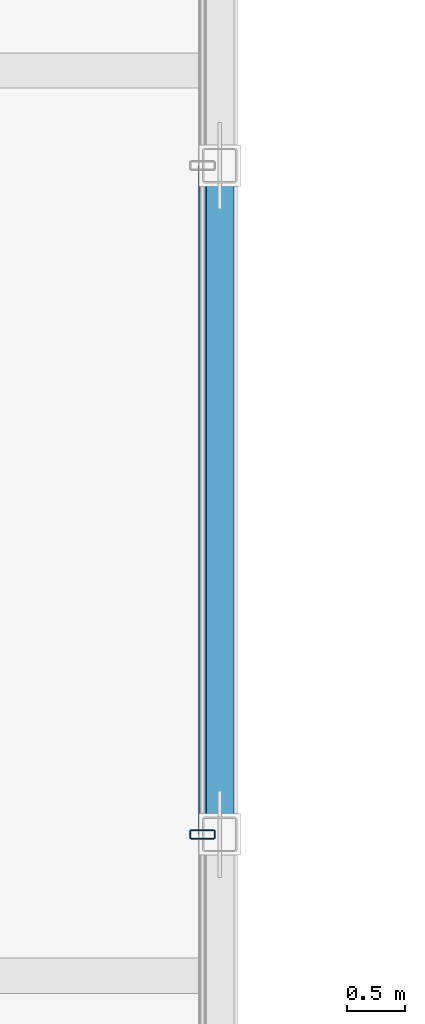
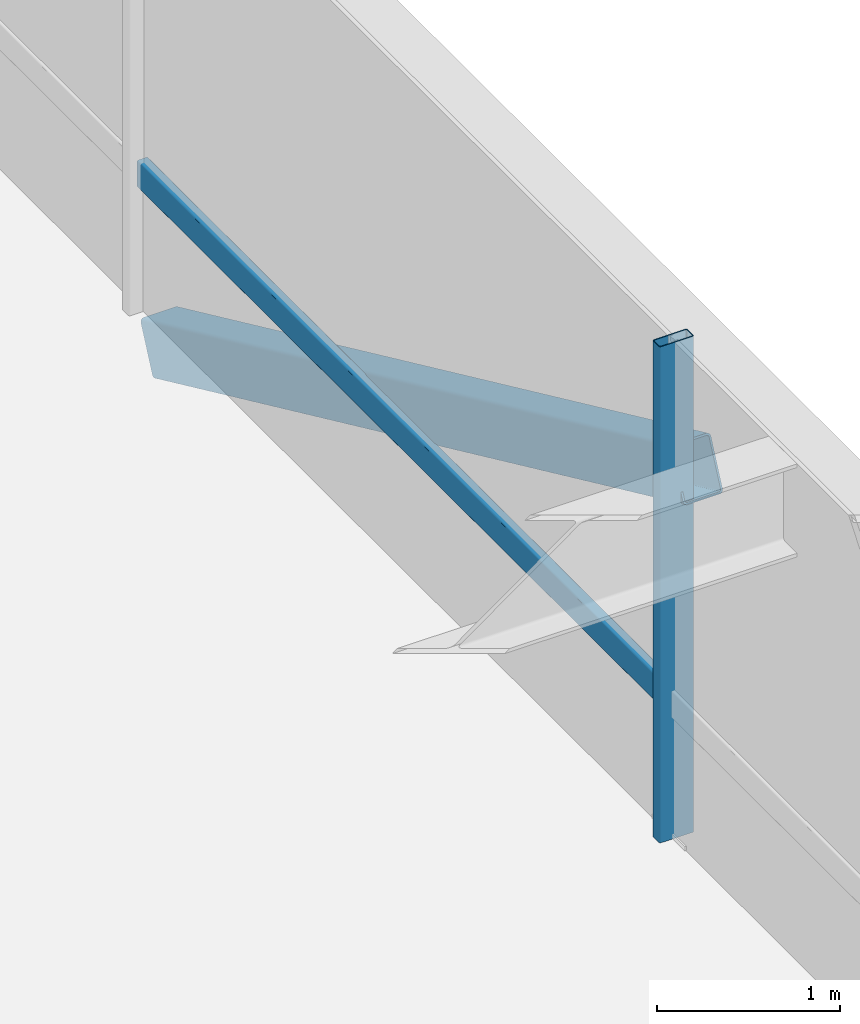
# One storey, part 10 of 36: 3 members, 1 element without a shape of its own.
"""IFC4 building model written with IfcOpenShell, lengths in metres."""

import ifcopenshell
import ifcopenshell.guid

model = None  # the IFC model being written
_history = None  # IfcOwnerHistory: only IFC2X3 demands one
_inside = {}  # id of a spatial element -> (the spatial element, [elements in it])
_under = {}  # id of a project, library or spatial element -> (it, [spatial elements below it])
_declared = {}  # id of a project -> (the project, [libraries it declares])
_typed = {}  # id of a type object -> (the type object, [elements of that type])
_made_of = {}  # id of a material, layer set ... -> (it, [elements and type objects made of it])


def new_model(schema):
    """Start an empty IFC model of exactly this schema.

    Asked for "IFC4X3", IfcOpenShell would pick the latest addendum, in which some entities
    have other attributes; the version numbers below select the first issue.
    IFC2X3 requires an IfcOwnerHistory on every rooted entity: one is made here for all.
    """
    global model, _history
    if schema == "IFC4X3":
        model = ifcopenshell.file(schema_version=(4, 3, 0, 0))
    else:
        model = ifcopenshell.file(schema=schema)
    _inside.clear()
    _under.clear()
    _declared.clear()
    _typed.clear()
    _made_of.clear()
    _history = None
    if model.schema == "IFC2X3":
        org = make("IfcOrganization", Name="unknown")
        user = make(
            "IfcPersonAndOrganization",
            ThePerson=make("IfcPerson", FamilyName="unknown"),
            TheOrganization=org,
        )
        app = make(
            "IfcApplication",
            ApplicationDeveloper=org,
            Version="unknown",
            ApplicationFullName="unknown",
            ApplicationIdentifier="unknown",
        )
        _history = make(
            "IfcOwnerHistory",
            OwningUser=user,
            OwningApplication=app,
            ChangeAction="ADDED",
            CreationDate=0,
        )
    return model


def make(cls, **values):
    """One entity of the class cls with the attributes given. An attribute that is None is left unset."""
    return model.create_entity(
        cls, **{name: value for name, value in values.items() if value is not None}
    )


def rooted(cls, **values):
    """An entity with a GlobalId (a new one), such as an element, a storey or a relation."""
    return make(cls, GlobalId=ifcopenshell.guid.new(), OwnerHistory=_history, **values)


def si_unit(unit_type, name, prefix=None):
    """IfcSIUnit, for example si_unit("LENGTHUNIT", "METRE", prefix="MILLI")."""
    return make("IfcSIUnit", UnitType=unit_type, Prefix=prefix, Name=name)


def assignment(units):
    """IfcUnitAssignment: the units of a project."""
    return None if units is None else make("IfcUnitAssignment", Units=units)


def point(xyz):
    """IfcCartesianPoint."""
    return None if xyz is None else make("IfcCartesianPoint", Coordinates=xyz)


def direction(xyz):
    """IfcDirection."""
    return None if xyz is None else make("IfcDirection", DirectionRatios=xyz)


def frame(location, z_axis=None, x_axis=None):
    """IfcAxis2Placement3D, a coordinate frame: its origin and axes. An axis left out is left unset."""
    return make(
        "IfcAxis2Placement3D",
        Location=point(location),
        Axis=direction(z_axis),
        RefDirection=direction(x_axis),
    )


def frame_2d(location, x_axis=None):
    """IfcAxis2Placement2D, a coordinate frame in the plane: its origin and x axis."""
    return make(
        "IfcAxis2Placement2D", Location=point(location), RefDirection=direction(x_axis)
    )


def origin():
    """The frame at (0, 0, 0) with its axes left unset."""
    return frame((0.0, 0.0, 0.0))


def origin_2d():
    """The frame at (0, 0) in the plane with its x axis left unset."""
    return frame_2d((0.0, 0.0))


def place(relative_to, where):
    """IfcLocalPlacement: puts the frame where relative to a parent placement (None: the world)."""
    return make(
        "IfcLocalPlacement", PlacementRelTo=relative_to, RelativePlacement=where
    )


def context(
    kind, dimensions, precision=None, world=None, true_north=None, identifier=None
):
    """IfcGeometricRepresentationContext, for example the 3D "Model" context."""
    return make(
        "IfcGeometricRepresentationContext",
        ContextIdentifier=identifier,
        ContextType=kind,
        CoordinateSpaceDimension=dimensions,
        Precision=precision,
        WorldCoordinateSystem=world,
        TrueNorth=true_north,
    )


def subcontext(parent, identifier, kind, view, scale=None):
    """IfcGeometricRepresentationSubContext, for example "Body" below "Model"."""
    return make(
        "IfcGeometricRepresentationSubContext",
        ContextIdentifier=identifier,
        ContextType=kind,
        ParentContext=parent,
        TargetScale=scale,
        TargetView=view,
    )


def project(units=None, contexts=None):
    """IfcProject with its units and contexts."""
    return rooted(
        "IfcProject",
        Name="project",
        RepresentationContexts=contexts,
        UnitsInContext=assignment(units),
    )


def spatial(cls, under=None, at=None, **own):
    """A site, building, storey or space (cls), placed at a placement, below another one or the project."""
    s = rooted(cls, ObjectPlacement=at, **own)
    if under is not None:
        _under.setdefault(under.id(), (under, []))[1].append(s)
    return s


def profile(cls, at=None, kind="AREA", **sizes):
    """A parametric profile (cls). Its sizes go by their IFC names, for example OverallWidth=200.0."""
    return make(cls, ProfileType=kind, Position=at, **sizes)


def hollow_rectangle(**sizes):
    """IfcRectangleHollowProfileDef."""
    return profile("IfcRectangleHollowProfileDef", **sizes)


def extrude(swept, where, along, depth):
    """IfcExtrudedAreaSolid: the profile swept, set in the frame where, extruded along a direction by depth."""
    return make(
        "IfcExtrudedAreaSolid",
        SweptArea=swept,
        Position=where,
        ExtrudedDirection=direction(along),
        Depth=depth,
    )


def shape(context_of_items, identifier, shape_type, items):
    """IfcShapeRepresentation: the items that make up one representation, for example the "Body"."""
    return make(
        "IfcShapeRepresentation",
        ContextOfItems=context_of_items,
        RepresentationIdentifier=identifier,
        RepresentationType=shape_type,
        Items=items,
    )


def material(Name=None, Category=None):
    """IfcMaterial."""
    return make("IfcMaterial", Name=Name, Category=Category)


def layer(
    of_material, thickness, ventilated=None, Name=None, Category=None, Priority=None
):
    """IfcMaterialLayer: one layer of a wall or slab, of a material (None: an air gap)."""
    return make(
        "IfcMaterialLayer",
        Material=of_material,
        LayerThickness=thickness,
        IsVentilated=ventilated,
        Name=Name,
        Category=Category,
        Priority=Priority,
    )


def layer_set(layers, Name=None):
    """IfcMaterialLayerSet."""
    return make("IfcMaterialLayerSet", MaterialLayers=layers, LayerSetName=Name)


def material_profile(
    of_material, cross_section, Name=None, Category=None, Priority=None
):
    """IfcMaterialProfile: a cross section and its material."""
    return make(
        "IfcMaterialProfile",
        Name=Name,
        Material=of_material,
        Profile=cross_section,
        Priority=Priority,
        Category=Category,
    )


def profile_set(profiles, Name=None, composite=None):
    """IfcMaterialProfileSet."""
    return make(
        "IfcMaterialProfileSet",
        Name=Name,
        MaterialProfiles=profiles,
        CompositeProfile=composite,
    )


def made_of(thing, what):
    """Note that an element or type object is made of a material, layer set ...; save() writes the relation."""
    if what is not None:
        _made_of.setdefault(what.id(), (what, []))[1].append(thing)
    return thing


def type_object(cls, material=None, **own):
    """A type object (cls), such as IfcWallType, which elements share."""
    return made_of(rooted(cls, **own), material)


def element(
    cls,
    number,
    at=None,
    inside=None,
    cuts=None,
    type_object=None,
    material=None,
    context=None,
    identifier="Body",
    shape_type=None,
    held_by="IfcProductDefinitionShape",
    body=None,
    shapes=None,
    **own,
):
    """One element of the class cls, such as IfcWall. Its Tag is "e" and its number.

    at: its placement. inside: the storey or other place that contains it. cuts: it is an
    opening in that element (IfcRelVoidsElement). A single representation is given by context,
    identifier, shape_type and body (its items); several are given by shapes. held_by: the class
    of the entity that holds the representations. save() writes the other relations.
    """
    e = rooted(cls, Tag="e%d" % number, ObjectPlacement=at, **own)
    if body is not None:
        shapes = [shape(context, identifier, shape_type, body)]
    if shapes is not None:
        e.Representation = make(held_by, Representations=shapes)
    if inside is not None:
        _inside.setdefault(inside.id(), (inside, []))[1].append(e)
    if cuts is not None:
        rooted(
            "IfcRelVoidsElement", RelatingBuildingElement=cuts, RelatedOpeningElement=e
        )
    if type_object is not None:
        _typed.setdefault(type_object.id(), (type_object, []))[1].append(e)
    return made_of(e, material)


def aggregate(whole, parts):
    """IfcRelAggregates: a whole, such as a stair, and the parts it consists of."""
    return rooted("IfcRelAggregates", RelatingObject=whole, RelatedObjects=parts)


def save(model, path):
    """Write the relations noted so far, then the file.

    IfcRelAggregates (storeys below a building ...), IfcRelContainedInSpatialStructure (elements
    in a storey), IfcRelDefinesByType, IfcRelAssociatesMaterial and IfcRelDeclares: one each for
    every whole, place, type object, material and project.
    """
    for whole, parts in _under.values():
        aggregate(whole, parts)
    for where, things in _inside.values():
        rooted(
            "IfcRelContainedInSpatialStructure",
            RelatedElements=things,
            RelatingStructure=where,
        )
    for kind, things in _typed.values():
        rooted("IfcRelDefinesByType", RelatedObjects=things, RelatingType=kind)
    for what, things in _made_of.values():
        rooted("IfcRelAssociatesMaterial", RelatedObjects=things, RelatingMaterial=what)
    for by, libraries in _declared.values():
        rooted("IfcRelDeclares", RelatingContext=by, RelatedDefinitions=libraries)
    model.write(path)


model = new_model("IFC4")

# Units and contexts
model_context = context("Model", 3, precision=1e-05, world=origin(), true_north=direction((0.0, 1.0)))
body_context = subcontext(model_context, "Body", "Model", "MODEL_VIEW")
ifc_project = project(units=[si_unit("LENGTHUNIT", "METRE"), si_unit("AREAUNIT", "SQUARE_METRE"), si_unit("VOLUMEUNIT", "CUBIC_METRE"), si_unit("PLANEANGLEUNIT", "RADIAN"), si_unit("MASSUNIT", "GRAM", prefix="KILO")], contexts=[model_context])

# Site, building, storey
site_placement = place(None, origin())
site = spatial("IfcSite", under=ifc_project, at=site_placement, CompositionType="ELEMENT")
building_placement = place(site_placement, origin())
building = spatial("IfcBuilding", under=site, at=building_placement, Name="Korimba Cascade Residences", CompositionType="ELEMENT")
storey_placement = place(building_placement, frame((0.0, 0.0, 139.300048828125)))
storey = spatial("IfcBuildingStorey", under=building, at=storey_placement, Name="L40", CompositionType="ELEMENT", Elevation=139.300048828125)

# Curtain wall, members
ifc_material_1 = material(Name="Anodised Aluminium Curtain Wall Framing", Category="aluminium")
ifc_layer = layer(ifc_material_1, 0.179931640625)
ifc_layer_set = layer_set([ifc_layer], Name="Anodised Aluminium Curtain Wall Framing")
curtain_wall_type = type_object("IfcCurtainWallType", Name="CW-BRG-SYS3", PredefinedType="NOTDEFINED", material=ifc_layer_set)
curtain_wall_placement = place(storey_placement, origin())
curtain_wall = element("IfcCurtainWall", 1, at=curtain_wall_placement, inside=storey, type_object=curtain_wall_type, Name="L40 Curtain Wall CW-L40-BRG-E", PredefinedType="NOTDEFINED")
ifc_material_2 = material(Name="Anodised Aluminium Mullion", Category="aluminium")
ifc_material_profile_1 = material_profile(ifc_material_2, hollow_rectangle(XDim=0.080078125, YDim=0.219970703125, WallThickness=0.00634765625, InnerFilletRadius=0.00634765625, OuterFilletRadius=0.0126953125, at=origin_2d()), Name="Anodised Aluminium Mullion")
ifc_profile_set_1 = profile_set([ifc_material_profile_1], Name="Anodised Aluminium Mullion")
member_type_1 = type_object("IfcMemberType", Name="CWM-MUL-220", PredefinedType="MULLION", material=ifc_profile_set_1)
member_1_placement = place(storey_placement, frame((111.949951171875, 38.89990234375, 0.0), z_axis=(0.0, 0.0, 1.0), x_axis=(0.0, 1.0, 0.0)))
member_1 = element("IfcMember", 2, at=member_1_placement, type_object=member_type_1, Name="CW-L40-BRG-E Mullion 2", PredefinedType="MULLION", context=body_context, shape_type="SweptSolid", body=[
    extrude(hollow_rectangle(XDim=0.080078125, YDim=0.219970703125, WallThickness=0.00634765625, InnerFilletRadius=0.00634765625, OuterFilletRadius=0.0126953125, at=origin_2d()), origin(), (0.0, 0.0, 1.0), 3.31005859375),
])
ifc_material_3 = material(Name="Anodised Aluminium Transom", Category="aluminium")
ifc_material_profile_2 = material_profile(ifc_material_3, hollow_rectangle(XDim=0.070068359375, YDim=0.179931640625, WallThickness=0.0048828125, InnerFilletRadius=0.0048828125, OuterFilletRadius=0.010009765625, at=origin_2d()), Name="Anodised Aluminium Transom")
ifc_profile_set_2 = profile_set([ifc_material_profile_2], Name="Anodised Aluminium Transom")
member_type_2 = type_object("IfcMemberType", Name="CWM-TRN-150", PredefinedType="USERDEFINED", material=ifc_profile_set_2)
member_2_placement = place(storey_placement, frame((111.949951171875, 38.89990234375, 0.89990234375), z_axis=(0.0, 1.0, 0.0), x_axis=(-1.0, 0.0, 0.0)))
member_2 = element("IfcMember", 3, at=member_2_placement, type_object=member_type_2, Name="CW-L40-BRG-E Transom 2", ObjectType="TRANSOM", PredefinedType="USERDEFINED", context=body_context, shape_type="SweptSolid", body=[
    extrude(hollow_rectangle(XDim=0.070068359375, YDim=0.179931640625, WallThickness=0.0048828125, InnerFilletRadius=0.0048828125, OuterFilletRadius=0.010009765625, at=origin_2d()), origin(), (0.0, 0.0, 1.0), 5.800048828125),
])
aggregate(curtain_wall, [member_1, member_2])

# Member
ifc_material_4 = material(Name="Steel S460", Category="steel")
ifc_material_profile_3 = material_profile(ifc_material_4, hollow_rectangle(XDim=0.25, YDim=0.35009765625, WallThickness=0.012451171875, InnerFilletRadius=0.012451171875, OuterFilletRadius=0.02490234375, at=origin_2d()), Name="Steel S460")
ifc_profile_set_3 = profile_set([ifc_material_profile_3], Name="Steel S460")
member_type_3 = type_object("IfcMemberType", Name="MEM-BRG-SHS350", PredefinedType="BRACE", material=ifc_profile_set_3)
member_3_placement = place(storey_placement, frame((112.10009765625, 38.89990234375, 2.38330078125), z_axis=(0.0, 0.9081740859, -0.418592677552), x_axis=(-1.0, 0.0, 0.0)))
element("IfcMember", 4, at=member_3_placement, inside=storey, type_object=member_type_3, Name="L40 Mid-Bridge Warren Diagonal E2", PredefinedType="BRACE", context=body_context, shape_type="SweptSolid", body=[
    extrude(hollow_rectangle(XDim=0.25, YDim=0.35009765625, WallThickness=0.012451171875, InnerFilletRadius=0.012451171875, OuterFilletRadius=0.02490234375, at=origin_2d()), origin(), (0.0, 0.0, 1.0), 6.386474609375),
])

save(model, "model.ifc")
